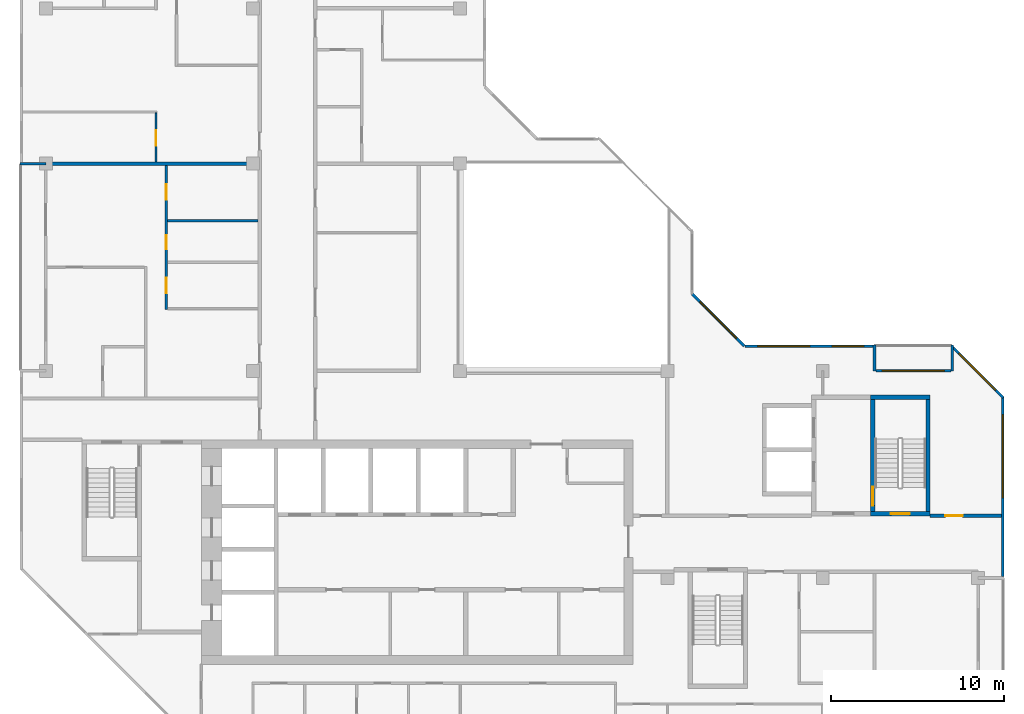
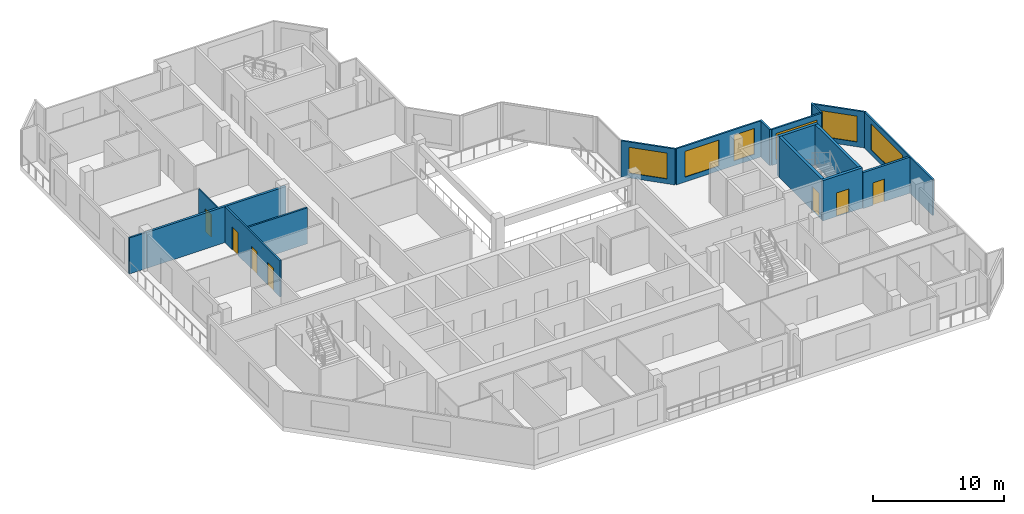
# One storey, part 7 of 12: 17 walls, 7 doors, 6 windows, 13 openings.
"""IFC4 building model written with IfcOpenShell, lengths in metres."""

import ifcopenshell
import ifcopenshell.guid

model = None  # the IFC model being written
_history = None  # IfcOwnerHistory: only IFC2X3 demands one
_inside = {}  # id of a spatial element -> (the spatial element, [elements in it])
_under = {}  # id of a project, library or spatial element -> (it, [spatial elements below it])
_declared = {}  # id of a project -> (the project, [libraries it declares])
_typed = {}  # id of a type object -> (the type object, [elements of that type])
_made_of = {}  # id of a material, layer set ... -> (it, [elements and type objects made of it])


def new_model(schema):
    """Start an empty IFC model of exactly this schema.

    Asked for "IFC4X3", IfcOpenShell would pick the latest addendum, in which some entities
    have other attributes; the version numbers below select the first issue.
    IFC2X3 requires an IfcOwnerHistory on every rooted entity: one is made here for all.
    """
    global model, _history
    if schema == "IFC4X3":
        model = ifcopenshell.file(schema_version=(4, 3, 0, 0))
    else:
        model = ifcopenshell.file(schema=schema)
    _inside.clear()
    _under.clear()
    _declared.clear()
    _typed.clear()
    _made_of.clear()
    _history = None
    if model.schema == "IFC2X3":
        org = make("IfcOrganization", Name="unknown")
        user = make(
            "IfcPersonAndOrganization",
            ThePerson=make("IfcPerson", FamilyName="unknown"),
            TheOrganization=org,
        )
        app = make(
            "IfcApplication",
            ApplicationDeveloper=org,
            Version="unknown",
            ApplicationFullName="unknown",
            ApplicationIdentifier="unknown",
        )
        _history = make(
            "IfcOwnerHistory",
            OwningUser=user,
            OwningApplication=app,
            ChangeAction="ADDED",
            CreationDate=0,
        )
    return model


def make(cls, **values):
    """One entity of the class cls with the attributes given. An attribute that is None is left unset."""
    return model.create_entity(
        cls, **{name: value for name, value in values.items() if value is not None}
    )


def rooted(cls, **values):
    """An entity with a GlobalId (a new one), such as an element, a storey or a relation."""
    return make(cls, GlobalId=ifcopenshell.guid.new(), OwnerHistory=_history, **values)


def si_unit(unit_type, name, prefix=None):
    """IfcSIUnit, for example si_unit("LENGTHUNIT", "METRE", prefix="MILLI")."""
    return make("IfcSIUnit", UnitType=unit_type, Prefix=prefix, Name=name)


def assignment(units):
    """IfcUnitAssignment: the units of a project."""
    return None if units is None else make("IfcUnitAssignment", Units=units)


def point(xyz):
    """IfcCartesianPoint."""
    return None if xyz is None else make("IfcCartesianPoint", Coordinates=xyz)


def direction(xyz):
    """IfcDirection."""
    return None if xyz is None else make("IfcDirection", DirectionRatios=xyz)


def frame(location, z_axis=None, x_axis=None):
    """IfcAxis2Placement3D, a coordinate frame: its origin and axes. An axis left out is left unset."""
    return make(
        "IfcAxis2Placement3D",
        Location=point(location),
        Axis=direction(z_axis),
        RefDirection=direction(x_axis),
    )


def frame_2d(location, x_axis=None):
    """IfcAxis2Placement2D, a coordinate frame in the plane: its origin and x axis."""
    return make(
        "IfcAxis2Placement2D", Location=point(location), RefDirection=direction(x_axis)
    )


def origin():
    """The frame at (0, 0, 0) with its axes left unset."""
    return frame((0.0, 0.0, 0.0))


def place(relative_to, where):
    """IfcLocalPlacement: puts the frame where relative to a parent placement (None: the world)."""
    return make(
        "IfcLocalPlacement", PlacementRelTo=relative_to, RelativePlacement=where
    )


def context(
    kind, dimensions, precision=None, world=None, true_north=None, identifier=None
):
    """IfcGeometricRepresentationContext, for example the 3D "Model" context."""
    return make(
        "IfcGeometricRepresentationContext",
        ContextIdentifier=identifier,
        ContextType=kind,
        CoordinateSpaceDimension=dimensions,
        Precision=precision,
        WorldCoordinateSystem=world,
        TrueNorth=true_north,
    )


def subcontext(parent, identifier, kind, view, scale=None):
    """IfcGeometricRepresentationSubContext, for example "Body" below "Model"."""
    return make(
        "IfcGeometricRepresentationSubContext",
        ContextIdentifier=identifier,
        ContextType=kind,
        ParentContext=parent,
        TargetScale=scale,
        TargetView=view,
    )


def project(units=None, contexts=None):
    """IfcProject with its units and contexts."""
    return rooted(
        "IfcProject",
        Name="project",
        RepresentationContexts=contexts,
        UnitsInContext=assignment(units),
    )


def spatial(cls, under=None, at=None, **own):
    """A site, building, storey or space (cls), placed at a placement, below another one or the project."""
    s = rooted(cls, ObjectPlacement=at, **own)
    if under is not None:
        _under.setdefault(under.id(), (under, []))[1].append(s)
    return s


def profile(cls, at=None, kind="AREA", **sizes):
    """A parametric profile (cls). Its sizes go by their IFC names, for example OverallWidth=200.0."""
    return make(cls, ProfileType=kind, Position=at, **sizes)


def rectangle(**sizes):
    """IfcRectangleProfileDef."""
    return profile("IfcRectangleProfileDef", **sizes)


def extrude(swept, where, along, depth):
    """IfcExtrudedAreaSolid: the profile swept, set in the frame where, extruded along a direction by depth."""
    return make(
        "IfcExtrudedAreaSolid",
        SweptArea=swept,
        Position=where,
        ExtrudedDirection=direction(along),
        Depth=depth,
    )


def shape(context_of_items, identifier, shape_type, items):
    """IfcShapeRepresentation: the items that make up one representation, for example the "Body"."""
    return make(
        "IfcShapeRepresentation",
        ContextOfItems=context_of_items,
        RepresentationIdentifier=identifier,
        RepresentationType=shape_type,
        Items=items,
    )


def material(Name=None, Category=None):
    """IfcMaterial."""
    return make("IfcMaterial", Name=Name, Category=Category)


def layer(
    of_material, thickness, ventilated=None, Name=None, Category=None, Priority=None
):
    """IfcMaterialLayer: one layer of a wall or slab, of a material (None: an air gap)."""
    return make(
        "IfcMaterialLayer",
        Material=of_material,
        LayerThickness=thickness,
        IsVentilated=ventilated,
        Name=Name,
        Category=Category,
        Priority=Priority,
    )


def layer_set(layers, Name=None):
    """IfcMaterialLayerSet."""
    return make("IfcMaterialLayerSet", MaterialLayers=layers, LayerSetName=Name)


def made_of(thing, what):
    """Note that an element or type object is made of a material, layer set ...; save() writes the relation."""
    if what is not None:
        _made_of.setdefault(what.id(), (what, []))[1].append(thing)
    return thing


def type_object(cls, material=None, **own):
    """A type object (cls), such as IfcWallType, which elements share."""
    return made_of(rooted(cls, **own), material)


def element(
    cls,
    number,
    at=None,
    inside=None,
    cuts=None,
    type_object=None,
    material=None,
    context=None,
    identifier="Body",
    shape_type=None,
    held_by="IfcProductDefinitionShape",
    body=None,
    shapes=None,
    **own,
):
    """One element of the class cls, such as IfcWall. Its Tag is "e" and its number.

    at: its placement. inside: the storey or other place that contains it. cuts: it is an
    opening in that element (IfcRelVoidsElement). A single representation is given by context,
    identifier, shape_type and body (its items); several are given by shapes. held_by: the class
    of the entity that holds the representations. save() writes the other relations.
    """
    e = rooted(cls, Tag="e%d" % number, ObjectPlacement=at, **own)
    if body is not None:
        shapes = [shape(context, identifier, shape_type, body)]
    if shapes is not None:
        e.Representation = make(held_by, Representations=shapes)
    if inside is not None:
        _inside.setdefault(inside.id(), (inside, []))[1].append(e)
    if cuts is not None:
        rooted(
            "IfcRelVoidsElement", RelatingBuildingElement=cuts, RelatedOpeningElement=e
        )
    if type_object is not None:
        _typed.setdefault(type_object.id(), (type_object, []))[1].append(e)
    return made_of(e, material)


def fill(opening, filler):
    """IfcRelFillsElement: the door or window that sits in an opening."""
    return rooted(
        "IfcRelFillsElement",
        RelatingOpeningElement=opening,
        RelatedBuildingElement=filler,
    )


def aggregate(whole, parts):
    """IfcRelAggregates: a whole, such as a stair, and the parts it consists of."""
    return rooted("IfcRelAggregates", RelatingObject=whole, RelatedObjects=parts)


def save(model, path):
    """Write the relations noted so far, then the file.

    IfcRelAggregates (storeys below a building ...), IfcRelContainedInSpatialStructure (elements
    in a storey), IfcRelDefinesByType, IfcRelAssociatesMaterial and IfcRelDeclares: one each for
    every whole, place, type object, material and project.
    """
    for whole, parts in _under.values():
        aggregate(whole, parts)
    for where, things in _inside.values():
        rooted(
            "IfcRelContainedInSpatialStructure",
            RelatedElements=things,
            RelatingStructure=where,
        )
    for kind, things in _typed.values():
        rooted("IfcRelDefinesByType", RelatedObjects=things, RelatingType=kind)
    for what, things in _made_of.values():
        rooted("IfcRelAssociatesMaterial", RelatedObjects=things, RelatingMaterial=what)
    for by, libraries in _declared.values():
        rooted("IfcRelDeclares", RelatingContext=by, RelatedDefinitions=libraries)
    model.write(path)


model = new_model("IFC4")

# Units and contexts
model_context = context("Model", 3, precision=1e-05, world=origin(), true_north=direction((0.0, 1.0)))
body_context = subcontext(model_context, "Body", "Model", "MODEL_VIEW")
ifc_project = project(units=[si_unit("LENGTHUNIT", "METRE"), si_unit("AREAUNIT", "SQUARE_METRE"), si_unit("VOLUMEUNIT", "CUBIC_METRE"), si_unit("PLANEANGLEUNIT", "RADIAN"), si_unit("MASSUNIT", "GRAM", prefix="KILO")], contexts=[model_context])

# Site, building, storey
site_placement = place(None, origin())
site = spatial("IfcSite", under=ifc_project, at=site_placement, CompositionType="ELEMENT")
building_placement = place(site_placement, origin())
building = spatial("IfcBuilding", under=site, at=building_placement, Name="Chenar Terraces", CompositionType="ELEMENT")
storey_placement = place(building_placement, frame((0.0, 0.0, 372.64990234375)))
storey = spatial("IfcBuildingStorey", under=building, at=storey_placement, Name="L87", CompositionType="ELEMENT", Elevation=372.64990234375)

# Wall, opening, door
ifc_material_1 = material(Name="Concrete C50/60", Category="concrete")
ifc_layer_1 = layer(ifc_material_1, 0.25)
ifc_layer_set_1 = layer_set([ifc_layer_1], Name="Concrete C50/60")
wall_type_1 = type_object("IfcWallType", Name="Core wall 250 Concrete C50/60", PredefinedType="SHEAR", material=ifc_layer_set_1)
wall_1_placement = place(storey_placement, frame((47.77490234375, 15.72509765625, 0.0), z_axis=(0.0, 0.0, 1.0), x_axis=(1.0, 0.0, 0.0)))
wall_1 = element("IfcWall", 1, at=wall_1_placement, inside=storey, type_object=wall_type_1, Name="Core wall ST3_S L87", PredefinedType="SHEAR", context=body_context, shape_type="SweptSolid", body=[
    extrude(rectangle(XDim=3.4501953125, YDim=0.25, at=frame_2d((1.72509765625, 0.0))), origin(), (0.0, 0.0, 1.0), 3.75),
])
opening_1_placement = place(wall_1_placement, frame((1.175048828125, 0.0, 0.0)))
opening_1 = element("IfcOpeningElement", 2, at=opening_1_placement, cuts=wall_1, Name="Opening DL87-C8", PredefinedType="OPENING", context=body_context, shape_type="SweptSolid", body=[
    extrude(rectangle(XDim=1.10009765625, YDim=2.199951171875, at=frame_2d((0.550048828125, 1.10009765625))), frame((0.0, 0.135009765625, 0.0), z_axis=(0.0, -1.0, 0.0), x_axis=(1.0, 0.0, 0.0)), (0.0, 0.0, 1.0), 0.27001953125),
])
ifc_material_2 = material(Name="Steel-framed fire-resisting door leaf", Category="steel")
door_type_1 = type_object("IfcDoorType", Name="Stair fire door FD60 1100 x 2200", OperationType="SINGLE_SWING_LEFT", PredefinedType="DOOR", material=ifc_material_2)
door_1_placement = place(opening_1_placement, frame((1.10009765625, 0.0, 0.0), z_axis=(0.0, 0.0, 1.0), x_axis=(-1.0, 0.0, 0.0)))
door_1 = element("IfcDoor", 3, at=door_1_placement, inside=storey, type_object=door_type_1, Name="Stair door DL87-C8", OperationType="SINGLE_SWING_LEFT", OverallHeight=2.199951171875, OverallWidth=1.10009765625, PredefinedType="DOOR", context=body_context, shape_type="SweptSolid", body=[
    extrude(rectangle(XDim=1.10009765625, YDim=2.199951171875, at=frame_2d((0.550048828125, 1.10009765625))), frame((0.0, 0.02490234375, 0.0), z_axis=(0.0, -1.0, 0.0), x_axis=(1.0, 0.0, 0.0)), (0.0, 0.0, 1.0), 0.050048828125),
])
fill(opening_1, door_1)

# Wall
wall_2_placement = place(storey_placement, frame((47.77490234375, 22.47509765625, 0.0), z_axis=(0.0, 0.0, 1.0), x_axis=(1.0, 0.0, 0.0)))
element("IfcWall", 4, at=wall_2_placement, inside=storey, type_object=wall_type_1, Name="Core wall ST3_N L87", PredefinedType="SHEAR", context=body_context, shape_type="SweptSolid", body=[
    extrude(rectangle(XDim=3.4501953125, YDim=0.25, at=frame_2d((1.72509765625, 0.0))), origin(), (0.0, 0.0, 1.0), 3.75),
])

# Wall, opening, door
wall_3_placement = place(storey_placement, frame((47.89990234375, 15.85009765625, 0.0), z_axis=(0.0, 0.0, 1.0), x_axis=(0.0, 1.0, 0.0)))
wall_3 = element("IfcWall", 5, at=wall_3_placement, inside=storey, type_object=wall_type_1, Name="Core wall ST3_W L87", PredefinedType="SHEAR", context=body_context, shape_type="SweptSolid", body=[
    extrude(rectangle(XDim=6.5, YDim=0.25, at=frame_2d((3.25, 0.0))), origin(), (0.0, 0.0, 1.0), 3.75),
])
opening_2_placement = place(wall_3_placement, frame((0.35009765625, 0.0, 0.0)))
opening_2 = element("IfcOpeningElement", 6, at=opening_2_placement, cuts=wall_3, Name="Opening DL87-C11", PredefinedType="OPENING", context=body_context, shape_type="SweptSolid", body=[
    extrude(rectangle(XDim=1.10009765625, YDim=2.199951171875, at=frame_2d((0.550048828125, 1.10009765625))), frame((0.0, 0.135009765625, 0.0), z_axis=(0.0, -1.0, 0.0), x_axis=(1.0, 0.0, 0.0)), (0.0, 0.0, 1.0), 0.27001953125),
])
door_2_placement = place(opening_2_placement, frame((1.10009765625, 0.0, 0.0), z_axis=(0.0, 0.0, 1.0), x_axis=(-1.0, 0.0, 0.0)))
door_2 = element("IfcDoor", 7, at=door_2_placement, inside=storey, type_object=door_type_1, Name="Stair door DL87-C11", OperationType="SINGLE_SWING_RIGHT", OverallHeight=2.199951171875, OverallWidth=1.10009765625, PredefinedType="DOOR", context=body_context, shape_type="SweptSolid", body=[
    extrude(rectangle(XDim=1.10009765625, YDim=2.199951171875, at=frame_2d((0.550048828125, 1.10009765625))), frame((0.0, 0.02490234375, 0.0), z_axis=(0.0, -1.0, 0.0), x_axis=(1.0, 0.0, 0.0)), (0.0, 0.0, 1.0), 0.050048828125),
])
fill(opening_2, door_2)

# Wall
wall_4_placement = place(storey_placement, frame((51.10009765625, 15.85009765625, 0.0), z_axis=(0.0, 0.0, 1.0), x_axis=(0.0, 1.0, 0.0)))
element("IfcWall", 8, at=wall_4_placement, inside=storey, type_object=wall_type_1, Name="Core wall ST3_E L87", PredefinedType="SHEAR", context=body_context, shape_type="SweptSolid", body=[
    extrude(rectangle(XDim=6.5, YDim=0.25, at=frame_2d((3.25, 0.0))), origin(), (0.0, 0.0, 1.0), 3.75),
])

# Wall, opening, door
ifc_material_3 = material(Name="Gypsum board on steel studs with fire boards", Category="steel")
ifc_layer_2 = layer(ifc_material_3, 0.199951171875)
ifc_layer_set_2 = layer_set([ifc_layer_2], Name="Gypsum board on steel studs with fire boards")
wall_type_2 = type_object("IfcWallType", Name="Corridor wall 200", PredefinedType="PARTITIONING", material=ifc_layer_set_2)
wall_5_placement = place(storey_placement, frame((51.22509765625, 15.60009765625, 0.0), z_axis=(0.0, 0.0, 1.0), x_axis=(1.0, 0.0, 0.0)))
wall_5 = element("IfcWall", 9, at=wall_5_placement, inside=storey, type_object=wall_type_2, Name="Partition L87-061", PredefinedType="PARTITIONING", context=body_context, shape_type="SweptSolid", body=[
    extrude(rectangle(XDim=4.125, YDim=0.199951171875, at=frame_2d((2.0625, 0.0))), origin(), (0.0, 0.0, 1.0), 3.35009765625),
])
opening_3_placement = place(wall_5_placement, frame((0.875, 0.0, 0.0)))
opening_3 = element("IfcOpeningElement", 10, at=opening_3_placement, cuts=wall_5, Name="Opening DL87-19", PredefinedType="OPENING", context=body_context, shape_type="SweptSolid", body=[
    extrude(rectangle(XDim=1.0, YDim=2.10009765625, at=frame_2d((0.5, 1.050048828125))), frame((0.0, 0.10986328125, 0.0), z_axis=(0.0, -1.0, 0.0), x_axis=(1.0, 0.0, 0.0)), (0.0, 0.0, 1.0), 0.219970703125),
])
ifc_material_4 = material(Name="Steel-framed fire-resisting door leaf", Category="steel")
door_type_2 = type_object("IfcDoorType", Name="Fire door FD60 1000 x 2100", OperationType="SINGLE_SWING_LEFT", PredefinedType="DOOR", material=ifc_material_4)
door_3_placement = place(opening_3_placement, origin())
door_3 = element("IfcDoor", 11, at=door_3_placement, inside=storey, type_object=door_type_2, Name="Door DL87-19", OperationType="SINGLE_SWING_LEFT", OverallHeight=2.10009765625, OverallWidth=1.0, PredefinedType="DOOR", context=body_context, shape_type="SweptSolid", body=[
    extrude(rectangle(XDim=1.0, YDim=2.10009765625, at=frame_2d((0.5, 1.050048828125))), frame((0.0, 0.02490234375, 0.0), z_axis=(0.0, -1.0, 0.0), x_axis=(1.0, 0.0, 0.0)), (0.0, 0.0, 1.0), 0.050048828125),
])
fill(opening_3, door_3)

# Wall, openings, windows
ifc_material_5 = material(Name="Aluminium framed glazing", Category="aluminium")
ifc_layer_3 = layer(ifc_material_5, 0.14990234375)
ifc_layer_set_3 = layer_set([ifc_layer_3], Name="Aluminium framed glazing")
wall_type_3 = type_object("IfcWallType", Name="Glazed flush facade wall 150", PredefinedType="SOLIDWALL", material=ifc_layer_set_3)
wall_6_placement = place(storey_placement, frame((47.925048828125, 25.425048828125, 0.0), z_axis=(0.0, 0.0, 1.0), x_axis=(-1.0, 0.0, 0.0)))
wall_6 = element("IfcWall", 12, at=wall_6_placement, inside=storey, type_object=wall_type_3, Name="Glazed flush facade wall", PredefinedType="SOLIDWALL", context=body_context, shape_type="SweptSolid", body=[
    extrude(rectangle(XDim=7.425048828125, YDim=0.14990234375, at=frame_2d((3.71240234375, 0.0))), origin(), (0.0, 0.0, 1.0), 3.35009765625),
])
opening_4_placement = place(wall_6_placement, frame((0.5625, 0.0, 0.449951171875)))
opening_4 = element("IfcOpeningElement", 13, at=opening_4_placement, cuts=wall_6, Name="Opening W180x240", PredefinedType="OPENING", context=body_context, shape_type="SweptSolid", body=[
    extrude(rectangle(XDim=1.800048828125, YDim=2.39990234375, at=frame_2d((0.89990234375, 1.199951171875))), frame((0.0, 0.0849609375, 0.0), z_axis=(0.0, -1.0, 0.0), x_axis=(1.0, 0.0, 0.0)), (0.0, 0.0, 1.0), 0.169921875),
])
opening_5_placement = place(wall_6_placement, frame((3.675048828125, 0.0, 0.449951171875)))
opening_5 = element("IfcOpeningElement", 14, at=opening_5_placement, cuts=wall_6, Name="Opening W300x240", PredefinedType="OPENING", context=body_context, shape_type="SweptSolid", body=[
    extrude(rectangle(XDim=3.0, YDim=2.39990234375, at=frame_2d((1.5, 1.199951171875))), frame((0.0, 0.0849609375, 0.0), z_axis=(0.0, -1.0, 0.0), x_axis=(1.0, 0.0, 0.0)), (0.0, 0.0, 1.0), 0.169921875),
])
ifc_material_6 = material(Name="Low emissivity double glazing, aluminium frame", Category="aluminium")
window_type_1 = type_object("IfcWindowType", Name="Fixed light 1800 x 2400", PartitioningType="SINGLE_PANEL", PredefinedType="WINDOW", material=ifc_material_6)
window_1_placement = place(opening_4_placement, origin())
window_1 = element("IfcWindow", 15, at=window_1_placement, inside=storey, type_object=window_type_1, Name="Window", OverallHeight=2.39990234375, OverallWidth=1.800048828125, PartitioningType="SINGLE_PANEL", PredefinedType="WINDOW", context=body_context, shape_type="SweptSolid", body=[
    extrude(rectangle(XDim=1.800048828125, YDim=2.39990234375, at=frame_2d((0.89990234375, 1.199951171875))), frame((0.0, 0.030029296875, 0.0), z_axis=(0.0, -1.0, 0.0), x_axis=(1.0, 0.0, 0.0)), (0.0, 0.0, 1.0), 0.06005859375),
])
fill(opening_4, window_1)
ifc_material_7 = material(Name="Low emissivity double glazing, aluminium frame", Category="aluminium")
window_type_2 = type_object("IfcWindowType", Name="Fixed light 3000 x 2400", PartitioningType="SINGLE_PANEL", PredefinedType="WINDOW", material=ifc_material_7)
window_2_placement = place(opening_5_placement, origin())
window_2 = element("IfcWindow", 16, at=window_2_placement, inside=storey, type_object=window_type_2, Name="Window", OverallHeight=2.39990234375, OverallWidth=3.0, PartitioningType="SINGLE_PANEL", PredefinedType="WINDOW", context=body_context, shape_type="SweptSolid", body=[
    extrude(rectangle(XDim=3.0, YDim=2.39990234375, at=frame_2d((1.5, 1.199951171875))), frame((0.0, 0.030029296875, 0.0), z_axis=(0.0, -1.0, 0.0), x_axis=(1.0, 0.0, 0.0)), (0.0, 0.0, 1.0), 0.06005859375),
])
fill(opening_5, window_2)

# Wall, opening, window
wall_7_placement = place(storey_placement, frame((55.425048828125, 12.074951171875, 0.0), z_axis=(0.0, 0.0, 1.0), x_axis=(0.0, 1.0, 0.0)))
wall_7 = element("IfcWall", 17, at=wall_7_placement, inside=storey, type_object=wall_type_3, Name="Glazed flush facade wall", PredefinedType="SOLIDWALL", context=body_context, shape_type="SweptSolid", body=[
    extrude(rectangle(XDim=10.425048828125, YDim=0.14990234375, at=frame_2d((5.21240234375, 0.0))), origin(), (0.0, 0.0, 1.0), 3.35009765625),
])
opening_6_placement = place(wall_7_placement, frame((4.574951171875, 0.0, 0.449951171875)))
opening_6 = element("IfcOpeningElement", 18, at=opening_6_placement, cuts=wall_7, Name="Opening W480x240", PredefinedType="OPENING", context=body_context, shape_type="SweptSolid", body=[
    extrude(rectangle(XDim=4.800048828125, YDim=2.39990234375, at=frame_2d((2.39990234375, 1.199951171875))), frame((0.0, 0.0849609375, 0.0), z_axis=(0.0, -1.0, 0.0), x_axis=(1.0, 0.0, 0.0)), (0.0, 0.0, 1.0), 0.169921875),
])
ifc_material_8 = material(Name="Low emissivity double glazing, aluminium frame", Category="aluminium")
window_type_3 = type_object("IfcWindowType", Name="Fixed light 4800 x 2400", PartitioningType="SINGLE_PANEL", PredefinedType="WINDOW", material=ifc_material_8)
window_3_placement = place(opening_6_placement, origin())
window_3 = element("IfcWindow", 19, at=window_3_placement, inside=storey, type_object=window_type_3, Name="Window", OverallHeight=2.39990234375, OverallWidth=4.800048828125, PartitioningType="SINGLE_PANEL", PredefinedType="WINDOW", context=body_context, shape_type="SweptSolid", body=[
    extrude(rectangle(XDim=4.800048828125, YDim=2.39990234375, at=frame_2d((2.39990234375, 1.199951171875))), frame((0.0, 0.030029296875, 0.0), z_axis=(0.0, -1.0, 0.0), x_axis=(1.0, 0.0, 0.0)), (0.0, 0.0, 1.0), 0.06005859375),
])
fill(opening_6, window_3)

ifc_material_9 = material(Name="Aluminium framed glazing", Category="aluminium")
ifc_layer_4 = layer(ifc_material_9, 0.14990234375)
ifc_layer_set_4 = layer_set([ifc_layer_4], Name="Aluminium framed glazing")
wall_type_4 = type_object("IfcWallType", Name="Glazed loggia back wall 150", PredefinedType="SOLIDWALL", material=ifc_layer_set_4)
wall_8_placement = place(storey_placement, frame((52.425048828125, 24.0, 0.0), z_axis=(0.0, 0.0, 1.0), x_axis=(-1.0, 0.0, 0.0)))
wall_8 = element("IfcWall", 20, at=wall_8_placement, inside=storey, type_object=wall_type_4, Name="Glazed loggia back wall", PredefinedType="SOLIDWALL", context=body_context, shape_type="SweptSolid", body=[
    extrude(rectangle(XDim=4.35009765625, YDim=0.14990234375, at=frame_2d((2.175048828125, 0.0))), origin(), (0.0, 0.0, 1.0), 3.35009765625),
])
opening_7_placement = place(wall_8_placement, frame((0.375, 0.0, 0.449951171875)))
opening_7 = element("IfcOpeningElement", 21, at=opening_7_placement, cuts=wall_8, Name="Opening W360x240", PredefinedType="OPENING", context=body_context, shape_type="SweptSolid", body=[
    extrude(rectangle(XDim=3.60009765625, YDim=2.39990234375, at=frame_2d((1.800048828125, 1.199951171875))), frame((0.0, 0.0849609375, 0.0), z_axis=(0.0, -1.0, 0.0), x_axis=(1.0, 0.0, 0.0)), (0.0, 0.0, 1.0), 0.169921875),
])
ifc_material_10 = material(Name="Low emissivity double glazing, aluminium frame", Category="aluminium")
window_type_4 = type_object("IfcWindowType", Name="Fixed light 3600 x 2400", PartitioningType="SINGLE_PANEL", PredefinedType="WINDOW", material=ifc_material_10)
window_4_placement = place(opening_7_placement, origin())
window_4 = element("IfcWindow", 22, at=window_4_placement, inside=storey, type_object=window_type_4, Name="Window", OverallHeight=2.39990234375, OverallWidth=3.60009765625, PartitioningType="SINGLE_PANEL", PredefinedType="WINDOW", context=body_context, shape_type="SweptSolid", body=[
    extrude(rectangle(XDim=3.60009765625, YDim=2.39990234375, at=frame_2d((1.800048828125, 1.199951171875))), frame((0.0, 0.030029296875, 0.0), z_axis=(0.0, -1.0, 0.0), x_axis=(1.0, 0.0, 0.0)), (0.0, 0.0, 1.0), 0.06005859375),
])
fill(opening_7, window_4)

# Wall, opening, door
ifc_material_11 = material(Name="Gypsum board on steel studs", Category="steel")
ifc_layer_5 = layer(ifc_material_11, 0.10009765625)
ifc_layer_set_5 = layer_set([ifc_layer_5], Name="Gypsum board on steel studs")
wall_type_5 = type_object("IfcWallType", Name="Gypsum partition 100", PredefinedType="PARTITIONING", material=ifc_layer_set_5)
wall_9_placement = place(storey_placement, frame((6.375, 36.10009765625, 0.0), z_axis=(0.0, 0.0, 1.0), x_axis=(0.0, 1.0, 0.0)))
wall_9 = element("IfcWall", 23, at=wall_9_placement, inside=storey, type_object=wall_type_5, Name="Partition L87-014", PredefinedType="PARTITIONING", context=body_context, shape_type="SweptSolid", body=[
    extrude(rectangle(XDim=2.849853515625, YDim=0.10009765625, at=frame_2d((1.4248046875, 0.0))), origin(), (0.0, 0.0, 1.0), 3.35009765625),
])
opening_8_placement = place(wall_9_placement, frame((0.949951171875, 0.0, 0.0)))
opening_8 = element("IfcOpeningElement", 24, at=opening_8_placement, cuts=wall_9, Name="Opening DL87-9", PredefinedType="OPENING", context=body_context, shape_type="SweptSolid", body=[
    extrude(rectangle(XDim=0.89990234375, YDim=2.10009765625, at=frame_2d((0.449951171875, 1.050048828125))), frame((0.0, 0.06005859375, 0.0), z_axis=(0.0, -1.0, 0.0), x_axis=(1.0, 0.0, 0.0)), (0.0, 0.0, 1.0), 0.1201171875),
])
ifc_material_12 = material(Name="Veneered timber door leaf", Category="wood")
door_type_3 = type_object("IfcDoorType", Name="Door 900 x 2100", OperationType="SINGLE_SWING_LEFT", PredefinedType="DOOR", material=ifc_material_12)
door_4_placement = place(opening_8_placement, origin())
door_4 = element("IfcDoor", 25, at=door_4_placement, inside=storey, type_object=door_type_3, Name="Door DL87-9", OperationType="SINGLE_SWING_RIGHT", OverallHeight=2.10009765625, OverallWidth=0.89990234375, PredefinedType="DOOR", context=body_context, shape_type="SweptSolid", body=[
    extrude(rectangle(XDim=0.89990234375, YDim=2.10009765625, at=frame_2d((0.449951171875, 1.050048828125))), frame((0.0, 0.02490234375, 0.0), z_axis=(0.0, -1.0, 0.0), x_axis=(1.0, 0.0, 0.0)), (0.0, 0.0, 1.0), 0.050048828125),
])
fill(opening_8, door_4)

# Walls
ifc_material_13 = material(Name="Terracotta cladding on insulated backing", Category="masonry")
ifc_layer_6 = layer(ifc_material_13, 0.14990234375)
ifc_layer_set_6 = layer_set([ifc_layer_6], Name="Terracotta cladding on insulated backing")
wall_type_6 = type_object("IfcWallType", Name="Loggia return wall 150", PredefinedType="SOLIDWALL", material=ifc_layer_set_6)
for number, where, z_axis, x_axis, name in (
    (26, (52.5, 25.5, 0.0), (0.0, 0.0, 1.0), (0.0, -1.0, 0.0), "Loggia return wall"),
    (27, (48.0, 25.5, 0.0), (0.0, 0.0, 1.0), (0.0, -1.0, 0.0), "Loggia return wall"),
    (28, (-1.5, 36.0, 0.0), (0.0, 0.0, 1.0), (1.0, 0.0, 0.0), "Loggia return wall"),
):
    element("IfcWall", number, at=place(storey_placement, frame(where, z_axis=z_axis, x_axis=x_axis)), inside=storey, type_object=wall_type_6, Name=name, PredefinedType="SOLIDWALL", context=body_context, shape_type="SweptSolid", body=[
        extrude(rectangle(XDim=1.5, YDim=0.14990234375, at=frame_2d((0.75, 0.0))), origin(), (0.0, 0.0, 1.0), 3.35009765625),
    ])

# Wall, opening, window
ifc_material_14 = material(Name="Terracotta cladding on insulated backing", Category="masonry")
ifc_layer_7 = layer(ifc_material_14, 0.14990234375)
ifc_layer_set_7 = layer_set([ifc_layer_7], Name="Terracotta cladding on insulated backing")
wall_type_7 = type_object("IfcWallType", Name="Terracotta rainscreen wall 150", PredefinedType="SOLIDWALL", material=ifc_layer_set_7)
wall_10_placement = place(storey_placement, frame((40.447021484375, 25.447021484375, 0.0), z_axis=(0.0, 0.0, 1.0), x_axis=(-0.707106781187, 0.707106781187, 0.0)))
wall_10 = element("IfcWall", 29, at=wall_10_placement, inside=storey, type_object=wall_type_7, Name="Terracotta rainscreen wall", PredefinedType="SOLIDWALL", context=body_context, shape_type="SweptSolid", body=[
    extrude(rectangle(XDim=4.24267578125, YDim=0.14990234375, at=frame_2d((2.121337890625, 0.0))), origin(), (0.0, 0.0, 1.0), 3.35009765625),
])
opening_9_placement = place(wall_10_placement, frame((0.621337890625, 0.0, 0.449951171875)))
opening_9 = element("IfcOpeningElement", 30, at=opening_9_placement, cuts=wall_10, Name="Opening W300x240", PredefinedType="OPENING", context=body_context, shape_type="SweptSolid", body=[
    extrude(rectangle(XDim=3.0, YDim=2.39990234375, at=frame_2d((1.5, 1.199951171875))), frame((0.0, 0.0849609375, 0.0), z_axis=(0.0, -1.0, 0.0), x_axis=(1.0, 0.0, 0.0)), (0.0, 0.0, 1.0), 0.169921875),
])
window_5_placement = place(opening_9_placement, origin())
window_5 = element("IfcWindow", 31, at=window_5_placement, inside=storey, type_object=window_type_2, Name="Window", OverallHeight=2.39990234375, OverallWidth=3.0, PartitioningType="SINGLE_PANEL", PredefinedType="WINDOW", context=body_context, shape_type="SweptSolid", body=[
    extrude(rectangle(XDim=3.0, YDim=2.39990234375, at=frame_2d((1.5, 1.199951171875))), frame((0.0, 0.030029296875, 0.0), z_axis=(0.0, -1.0, 0.0), x_axis=(1.0, 0.0, 0.0)), (0.0, 0.0, 1.0), 0.06005859375),
])
fill(opening_9, window_5)

wall_11_placement = place(storey_placement, frame((55.447021484375, 22.447021484375, 0.0), z_axis=(0.0, 0.0, 1.0), x_axis=(-0.707106781187, 0.707106781187, 0.0)))
wall_11 = element("IfcWall", 32, at=wall_11_placement, inside=storey, type_object=wall_type_7, Name="Terracotta rainscreen wall", PredefinedType="SOLIDWALL", context=body_context, shape_type="SweptSolid", body=[
    extrude(rectangle(XDim=4.24267578125, YDim=0.14990234375, at=frame_2d((2.121337890625, 0.0))), origin(), (0.0, 0.0, 1.0), 3.35009765625),
])
opening_10_placement = place(wall_11_placement, frame((0.621337890625, 0.0, 0.449951171875)))
opening_10 = element("IfcOpeningElement", 33, at=opening_10_placement, cuts=wall_11, Name="Opening W300x240", PredefinedType="OPENING", context=body_context, shape_type="SweptSolid", body=[
    extrude(rectangle(XDim=3.0, YDim=2.39990234375, at=frame_2d((1.5, 1.199951171875))), frame((0.0, 0.0849609375, 0.0), z_axis=(0.0, -1.0, 0.0), x_axis=(1.0, 0.0, 0.0)), (0.0, 0.0, 1.0), 0.169921875),
])
window_6_placement = place(opening_10_placement, origin())
window_6 = element("IfcWindow", 34, at=window_6_placement, inside=storey, type_object=window_type_2, Name="Window", OverallHeight=2.39990234375, OverallWidth=3.0, PartitioningType="SINGLE_PANEL", PredefinedType="WINDOW", context=body_context, shape_type="SweptSolid", body=[
    extrude(rectangle(XDim=3.0, YDim=2.39990234375, at=frame_2d((1.5, 1.199951171875))), frame((0.0, 0.030029296875, 0.0), z_axis=(0.0, -1.0, 0.0), x_axis=(1.0, 0.0, 0.0)), (0.0, 0.0, 1.0), 0.06005859375),
])
fill(opening_10, window_6)

# Wall
ifc_material_15 = material(Name="Twin gypsum board on steel studs with mineral wool", Category="steel")
ifc_layer_8 = layer(ifc_material_15, 0.199951171875)
ifc_layer_set_8 = layer_set([ifc_layer_8], Name="Twin gypsum board on steel studs with mineral wool")
wall_type_8 = type_object("IfcWallType", Name="Unit demising wall 200", PredefinedType="PARTITIONING", material=ifc_layer_set_8)
wall_12_placement = place(storey_placement, frame((0.0, 36.0, 0.0), z_axis=(0.0, 0.0, 1.0), x_axis=(1.0, 0.0, 0.0)))
element("IfcWall", 35, at=wall_12_placement, inside=storey, type_object=wall_type_8, Name="Partition L87-003", PredefinedType="PARTITIONING", context=body_context, shape_type="SweptSolid", body=[
    extrude(rectangle(XDim=12.27490234375, YDim=0.199951171875, at=frame_2d((6.137451171875, 0.0))), origin(), (0.0, 0.0, 1.0), 3.35009765625),
])

# Wall, openings, doors
ifc_material_16 = material(Name="Moisture-resistant gypsum board on steel studs", Category="steel")
ifc_layer_9 = layer(ifc_material_16, 0.14990234375)
ifc_layer_set_9 = layer_set([ifc_layer_9], Name="Moisture-resistant gypsum board on steel studs")
wall_type_9 = type_object("IfcWallType", Name="Wet-room partition 150", PredefinedType="PARTITIONING", material=ifc_layer_set_9)
wall_13_placement = place(storey_placement, frame((6.97509765625, 27.550048828125, 0.0), z_axis=(0.0, 0.0, 1.0), x_axis=(0.0, 1.0, 0.0)))
wall_13 = element("IfcWall", 36, at=wall_13_placement, inside=storey, type_object=wall_type_9, Name="Partition L87-016", PredefinedType="PARTITIONING", context=body_context, shape_type="SweptSolid", body=[
    extrude(rectangle(XDim=8.349853515625, YDim=0.14990234375, at=frame_2d((4.1748046875, 0.0))), origin(), (0.0, 0.0, 1.0), 3.35009765625),
])
opening_11_placement = place(wall_13_placement, frame((3.5, 0.0, 0.0)))
opening_11 = element("IfcOpeningElement", 37, at=opening_11_placement, cuts=wall_13, Name="Opening DL87-37", PredefinedType="OPENING", context=body_context, shape_type="SweptSolid", body=[
    extrude(rectangle(XDim=0.800048828125, YDim=2.10009765625, at=frame_2d((0.39990234375, 1.050048828125))), frame((0.0, 0.0849609375, 0.0), z_axis=(0.0, -1.0, 0.0), x_axis=(1.0, 0.0, 0.0)), (0.0, 0.0, 1.0), 0.169921875),
])
opening_12_placement = place(wall_13_placement, frame((0.949951171875, 0.0, 0.0)))
opening_12 = element("IfcOpeningElement", 38, at=opening_12_placement, cuts=wall_13, Name="Opening DL87-40", PredefinedType="OPENING", context=body_context, shape_type="SweptSolid", body=[
    extrude(rectangle(XDim=0.89990234375, YDim=2.10009765625, at=frame_2d((0.449951171875, 1.050048828125))), frame((0.0, 0.0849609375, 0.0), z_axis=(0.0, -1.0, 0.0), x_axis=(1.0, 0.0, 0.0)), (0.0, 0.0, 1.0), 0.169921875),
])
opening_13_placement = place(wall_13_placement, frame((6.35009765625, 0.0, 0.0)))
opening_13 = element("IfcOpeningElement", 39, at=opening_13_placement, cuts=wall_13, Name="Opening DL87-42", PredefinedType="OPENING", context=body_context, shape_type="SweptSolid", body=[
    extrude(rectangle(XDim=0.89990234375, YDim=2.10009765625, at=frame_2d((0.449951171875, 1.050048828125))), frame((0.0, 0.0849609375, 0.0), z_axis=(0.0, -1.0, 0.0), x_axis=(1.0, 0.0, 0.0)), (0.0, 0.0, 1.0), 0.169921875),
])
ifc_material_17 = material(Name="Veneered timber door leaf", Category="wood")
door_type_4 = type_object("IfcDoorType", Name="Door 800 x 2100", OperationType="SINGLE_SWING_LEFT", PredefinedType="DOOR", material=ifc_material_17)
door_5_placement = place(opening_11_placement, frame((0.800048828125, 0.0, 0.0), z_axis=(0.0, 0.0, 1.0), x_axis=(-1.0, 0.0, 0.0)))
door_5 = element("IfcDoor", 40, at=door_5_placement, inside=storey, type_object=door_type_4, Name="Door DL87-37", OperationType="SINGLE_SWING_RIGHT", OverallHeight=2.10009765625, OverallWidth=0.800048828125, PredefinedType="DOOR", context=body_context, shape_type="SweptSolid", body=[
    extrude(rectangle(XDim=0.800048828125, YDim=2.10009765625, at=frame_2d((0.39990234375, 1.050048828125))), frame((0.0, 0.02490234375, 0.0), z_axis=(0.0, -1.0, 0.0), x_axis=(1.0, 0.0, 0.0)), (0.0, 0.0, 1.0), 0.050048828125),
])
fill(opening_11, door_5)
door_6_placement = place(opening_12_placement, frame((0.89990234375, 0.0, 0.0), z_axis=(0.0, 0.0, 1.0), x_axis=(-1.0, 0.0, 0.0)))
door_6 = element("IfcDoor", 41, at=door_6_placement, inside=storey, type_object=door_type_3, Name="Door DL87-40", OperationType="SINGLE_SWING_LEFT", OverallHeight=2.10009765625, OverallWidth=0.89990234375, PredefinedType="DOOR", context=body_context, shape_type="SweptSolid", body=[
    extrude(rectangle(XDim=0.89990234375, YDim=2.10009765625, at=frame_2d((0.449951171875, 1.050048828125))), frame((0.0, 0.02490234375, 0.0), z_axis=(0.0, -1.0, 0.0), x_axis=(1.0, 0.0, 0.0)), (0.0, 0.0, 1.0), 0.050048828125),
])
fill(opening_12, door_6)
door_7_placement = place(opening_13_placement, frame((0.89990234375, 0.0, 0.0), z_axis=(0.0, 0.0, 1.0), x_axis=(-1.0, 0.0, 0.0)))
door_7 = element("IfcDoor", 42, at=door_7_placement, inside=storey, type_object=door_type_3, Name="Door DL87-42", OperationType="SINGLE_SWING_LEFT", OverallHeight=2.10009765625, OverallWidth=0.89990234375, PredefinedType="DOOR", context=body_context, shape_type="SweptSolid", body=[
    extrude(rectangle(XDim=0.89990234375, YDim=2.10009765625, at=frame_2d((0.449951171875, 1.050048828125))), frame((0.0, 0.02490234375, 0.0), z_axis=(0.0, -1.0, 0.0), x_axis=(1.0, 0.0, 0.0)), (0.0, 0.0, 1.0), 0.050048828125),
])
fill(opening_13, door_7)

# Wall
wall_14_placement = place(storey_placement, frame((7.050048828125, 32.699951171875, 0.0), z_axis=(0.0, 0.0, 1.0), x_axis=(1.0, 0.0, 0.0)))
element("IfcWall", 43, at=wall_14_placement, inside=storey, type_object=wall_type_9, Name="Partition L87-019", PredefinedType="PARTITIONING", context=body_context, shape_type="SweptSolid", body=[
    extrude(rectangle(XDim=5.224853515625, YDim=0.14990234375, at=frame_2d((2.6123046875, 0.0))), origin(), (0.0, 0.0, 1.0), 3.35009765625),
])

save(model, "model.ifc")
